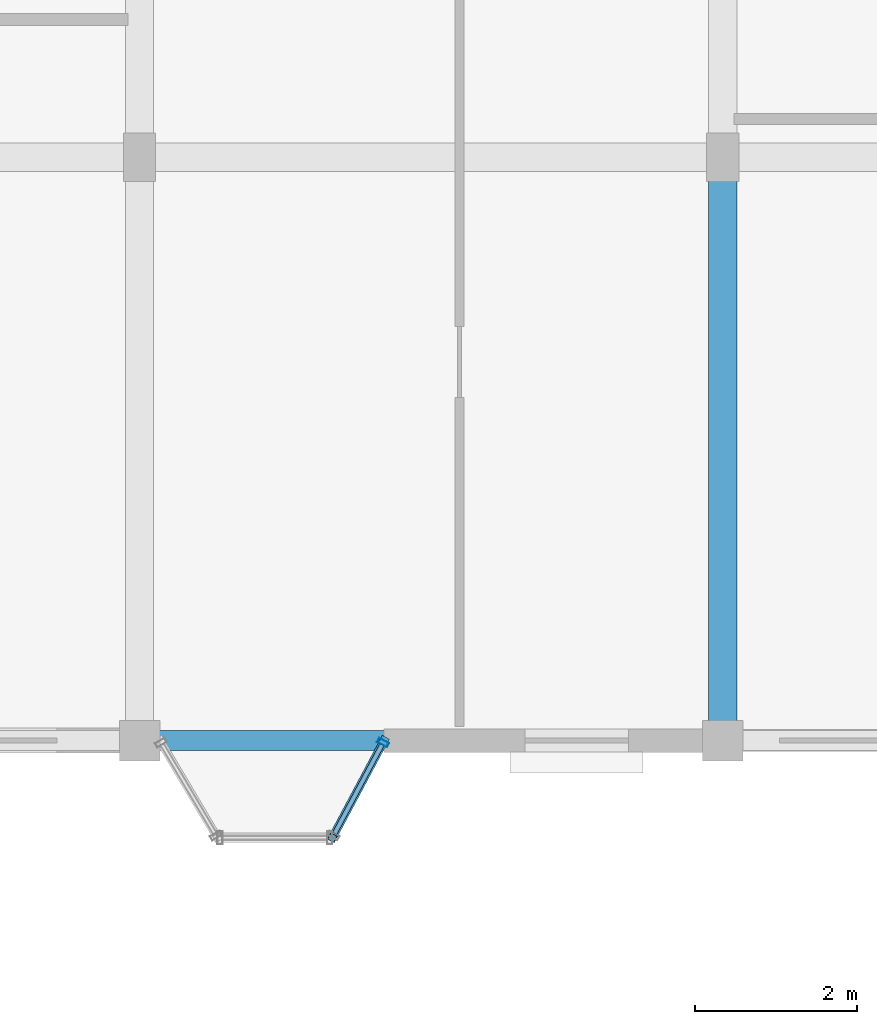
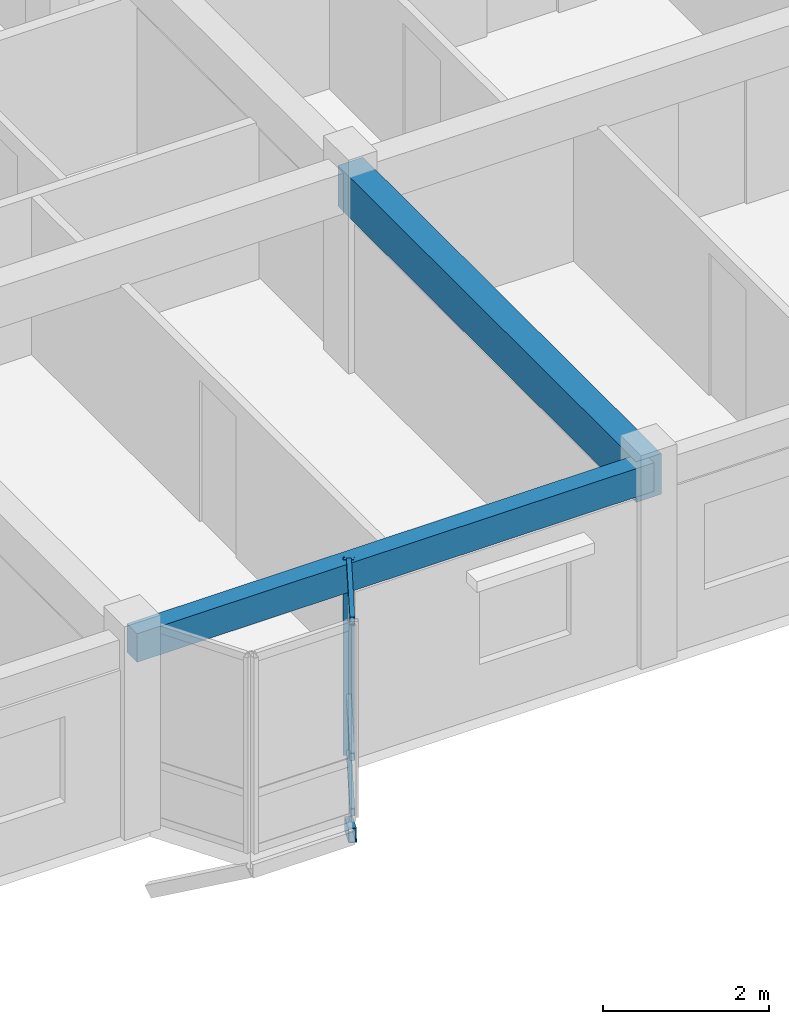
# One storey, part 35 of 70: 5 members, 2 beams, 1 element without a shape of its own.
"""IFC4 building model written with IfcOpenShell, lengths in metres."""

import ifcopenshell
import ifcopenshell.guid

model = None  # the IFC model being written
_history = None  # IfcOwnerHistory: only IFC2X3 demands one
_inside = {}  # id of a spatial element -> (the spatial element, [elements in it])
_under = {}  # id of a project, library or spatial element -> (it, [spatial elements below it])
_declared = {}  # id of a project -> (the project, [libraries it declares])
_typed = {}  # id of a type object -> (the type object, [elements of that type])
_made_of = {}  # id of a material, layer set ... -> (it, [elements and type objects made of it])


def new_model(schema):
    """Start an empty IFC model of exactly this schema.

    Asked for "IFC4X3", IfcOpenShell would pick the latest addendum, in which some entities
    have other attributes; the version numbers below select the first issue.
    IFC2X3 requires an IfcOwnerHistory on every rooted entity: one is made here for all.
    """
    global model, _history
    if schema == "IFC4X3":
        model = ifcopenshell.file(schema_version=(4, 3, 0, 0))
    else:
        model = ifcopenshell.file(schema=schema)
    _inside.clear()
    _under.clear()
    _declared.clear()
    _typed.clear()
    _made_of.clear()
    _history = None
    if model.schema == "IFC2X3":
        org = make("IfcOrganization", Name="unknown")
        user = make(
            "IfcPersonAndOrganization",
            ThePerson=make("IfcPerson", FamilyName="unknown"),
            TheOrganization=org,
        )
        app = make(
            "IfcApplication",
            ApplicationDeveloper=org,
            Version="unknown",
            ApplicationFullName="unknown",
            ApplicationIdentifier="unknown",
        )
        _history = make(
            "IfcOwnerHistory",
            OwningUser=user,
            OwningApplication=app,
            ChangeAction="ADDED",
            CreationDate=0,
        )
    return model


def make(cls, **values):
    """One entity of the class cls with the attributes given. An attribute that is None is left unset."""
    return model.create_entity(
        cls, **{name: value for name, value in values.items() if value is not None}
    )


def rooted(cls, **values):
    """An entity with a GlobalId (a new one), such as an element, a storey or a relation."""
    return make(cls, GlobalId=ifcopenshell.guid.new(), OwnerHistory=_history, **values)


def si_unit(unit_type, name, prefix=None):
    """IfcSIUnit, for example si_unit("LENGTHUNIT", "METRE", prefix="MILLI")."""
    return make("IfcSIUnit", UnitType=unit_type, Prefix=prefix, Name=name)


def assignment(units):
    """IfcUnitAssignment: the units of a project."""
    return None if units is None else make("IfcUnitAssignment", Units=units)


def point(xyz):
    """IfcCartesianPoint."""
    return None if xyz is None else make("IfcCartesianPoint", Coordinates=xyz)


def direction(xyz):
    """IfcDirection."""
    return None if xyz is None else make("IfcDirection", DirectionRatios=xyz)


def frame(location, z_axis=None, x_axis=None):
    """IfcAxis2Placement3D, a coordinate frame: its origin and axes. An axis left out is left unset."""
    return make(
        "IfcAxis2Placement3D",
        Location=point(location),
        Axis=direction(z_axis),
        RefDirection=direction(x_axis),
    )


def frame_2d(location, x_axis=None):
    """IfcAxis2Placement2D, a coordinate frame in the plane: its origin and x axis."""
    return make(
        "IfcAxis2Placement2D", Location=point(location), RefDirection=direction(x_axis)
    )


def origin():
    """The frame at (0, 0, 0) with its axes left unset."""
    return frame((0.0, 0.0, 0.0))


def origin_2d():
    """The frame at (0, 0) in the plane with its x axis left unset."""
    return frame_2d((0.0, 0.0))


def place(relative_to, where):
    """IfcLocalPlacement: puts the frame where relative to a parent placement (None: the world)."""
    return make(
        "IfcLocalPlacement", PlacementRelTo=relative_to, RelativePlacement=where
    )


def context(
    kind, dimensions, precision=None, world=None, true_north=None, identifier=None
):
    """IfcGeometricRepresentationContext, for example the 3D "Model" context."""
    return make(
        "IfcGeometricRepresentationContext",
        ContextIdentifier=identifier,
        ContextType=kind,
        CoordinateSpaceDimension=dimensions,
        Precision=precision,
        WorldCoordinateSystem=world,
        TrueNorth=true_north,
    )


def subcontext(parent, identifier, kind, view, scale=None):
    """IfcGeometricRepresentationSubContext, for example "Body" below "Model"."""
    return make(
        "IfcGeometricRepresentationSubContext",
        ContextIdentifier=identifier,
        ContextType=kind,
        ParentContext=parent,
        TargetScale=scale,
        TargetView=view,
    )


def project(units=None, contexts=None):
    """IfcProject with its units and contexts."""
    return rooted(
        "IfcProject",
        Name="project",
        RepresentationContexts=contexts,
        UnitsInContext=assignment(units),
    )


def spatial(cls, under=None, at=None, **own):
    """A site, building, storey or space (cls), placed at a placement, below another one or the project."""
    s = rooted(cls, ObjectPlacement=at, **own)
    if under is not None:
        _under.setdefault(under.id(), (under, []))[1].append(s)
    return s


def profile(cls, at=None, kind="AREA", **sizes):
    """A parametric profile (cls). Its sizes go by their IFC names, for example OverallWidth=200.0."""
    return make(cls, ProfileType=kind, Position=at, **sizes)


def rectangle(**sizes):
    """IfcRectangleProfileDef."""
    return profile("IfcRectangleProfileDef", **sizes)


def hollow_rectangle(**sizes):
    """IfcRectangleHollowProfileDef."""
    return profile("IfcRectangleHollowProfileDef", **sizes)


def extrude(swept, where, along, depth):
    """IfcExtrudedAreaSolid: the profile swept, set in the frame where, extruded along a direction by depth."""
    return make(
        "IfcExtrudedAreaSolid",
        SweptArea=swept,
        Position=where,
        ExtrudedDirection=direction(along),
        Depth=depth,
    )


def shape(context_of_items, identifier, shape_type, items):
    """IfcShapeRepresentation: the items that make up one representation, for example the "Body"."""
    return make(
        "IfcShapeRepresentation",
        ContextOfItems=context_of_items,
        RepresentationIdentifier=identifier,
        RepresentationType=shape_type,
        Items=items,
    )


def material(Name=None, Category=None):
    """IfcMaterial."""
    return make("IfcMaterial", Name=Name, Category=Category)


def layer(
    of_material, thickness, ventilated=None, Name=None, Category=None, Priority=None
):
    """IfcMaterialLayer: one layer of a wall or slab, of a material (None: an air gap)."""
    return make(
        "IfcMaterialLayer",
        Material=of_material,
        LayerThickness=thickness,
        IsVentilated=ventilated,
        Name=Name,
        Category=Category,
        Priority=Priority,
    )


def layer_set(layers, Name=None):
    """IfcMaterialLayerSet."""
    return make("IfcMaterialLayerSet", MaterialLayers=layers, LayerSetName=Name)


def material_profile(
    of_material, cross_section, Name=None, Category=None, Priority=None
):
    """IfcMaterialProfile: a cross section and its material."""
    return make(
        "IfcMaterialProfile",
        Name=Name,
        Material=of_material,
        Profile=cross_section,
        Priority=Priority,
        Category=Category,
    )


def profile_set(profiles, Name=None, composite=None):
    """IfcMaterialProfileSet."""
    return make(
        "IfcMaterialProfileSet",
        Name=Name,
        MaterialProfiles=profiles,
        CompositeProfile=composite,
    )


def made_of(thing, what):
    """Note that an element or type object is made of a material, layer set ...; save() writes the relation."""
    if what is not None:
        _made_of.setdefault(what.id(), (what, []))[1].append(thing)
    return thing


def type_object(cls, material=None, **own):
    """A type object (cls), such as IfcWallType, which elements share."""
    return made_of(rooted(cls, **own), material)


def element(
    cls,
    number,
    at=None,
    inside=None,
    cuts=None,
    type_object=None,
    material=None,
    context=None,
    identifier="Body",
    shape_type=None,
    held_by="IfcProductDefinitionShape",
    body=None,
    shapes=None,
    **own,
):
    """One element of the class cls, such as IfcWall. Its Tag is "e" and its number.

    at: its placement. inside: the storey or other place that contains it. cuts: it is an
    opening in that element (IfcRelVoidsElement). A single representation is given by context,
    identifier, shape_type and body (its items); several are given by shapes. held_by: the class
    of the entity that holds the representations. save() writes the other relations.
    """
    e = rooted(cls, Tag="e%d" % number, ObjectPlacement=at, **own)
    if body is not None:
        shapes = [shape(context, identifier, shape_type, body)]
    if shapes is not None:
        e.Representation = make(held_by, Representations=shapes)
    if inside is not None:
        _inside.setdefault(inside.id(), (inside, []))[1].append(e)
    if cuts is not None:
        rooted(
            "IfcRelVoidsElement", RelatingBuildingElement=cuts, RelatedOpeningElement=e
        )
    if type_object is not None:
        _typed.setdefault(type_object.id(), (type_object, []))[1].append(e)
    return made_of(e, material)


def aggregate(whole, parts):
    """IfcRelAggregates: a whole, such as a stair, and the parts it consists of."""
    return rooted("IfcRelAggregates", RelatingObject=whole, RelatedObjects=parts)


def save(model, path):
    """Write the relations noted so far, then the file.

    IfcRelAggregates (storeys below a building ...), IfcRelContainedInSpatialStructure (elements
    in a storey), IfcRelDefinesByType, IfcRelAssociatesMaterial and IfcRelDeclares: one each for
    every whole, place, type object, material and project.
    """
    for whole, parts in _under.values():
        aggregate(whole, parts)
    for where, things in _inside.values():
        rooted(
            "IfcRelContainedInSpatialStructure",
            RelatedElements=things,
            RelatingStructure=where,
        )
    for kind, things in _typed.values():
        rooted("IfcRelDefinesByType", RelatedObjects=things, RelatingType=kind)
    for what, things in _made_of.values():
        rooted("IfcRelAssociatesMaterial", RelatedObjects=things, RelatingMaterial=what)
    for by, libraries in _declared.values():
        rooted("IfcRelDeclares", RelatingContext=by, RelatedDefinitions=libraries)
    model.write(path)


model = new_model("IFC4")

# Units and contexts
model_context = context("Model", 3, precision=1e-05, world=origin(), true_north=direction((0.0, 1.0)))
body_context = subcontext(model_context, "Body", "Model", "MODEL_VIEW")
ifc_project = project(units=[si_unit("LENGTHUNIT", "METRE"), si_unit("AREAUNIT", "SQUARE_METRE"), si_unit("VOLUMEUNIT", "CUBIC_METRE"), si_unit("PLANEANGLEUNIT", "RADIAN"), si_unit("MASSUNIT", "GRAM", prefix="KILO"), si_unit("THERMODYNAMICTEMPERATUREUNIT", "KELVIN"), si_unit("POWERUNIT", "WATT")], contexts=[model_context])

# Site, building, storey
site_placement = place(None, origin())
site = spatial("IfcSite", under=ifc_project, at=site_placement, CompositionType="ELEMENT")
building_placement = place(site_placement, origin())
building = spatial("IfcBuilding", under=site, at=building_placement, Name="Tavuni Mirador Residences", CompositionType="ELEMENT")
storey_placement = place(building_placement, frame((0.0, 0.0, 23.39990234375)))
storey = spatial("IfcBuildingStorey", under=building, at=storey_placement, Name="L07", CompositionType="ELEMENT", Elevation=23.39990234375)

# Beams
ifc_material_1 = material(Name="Precast concrete C40/50", Category="concrete")
ifc_material_profile_1 = material_profile(ifc_material_1, rectangle(XDim=0.35009765625, YDim=0.60009765625, at=origin_2d()), Name="PC 350x600", Category="concrete")
ifc_profile_set_1 = profile_set([ifc_material_profile_1], Name="Precast concrete C40/50")
beam_type_1 = type_object("IfcBeamType", Name="BT-B600", PredefinedType="BEAM", material=ifc_profile_set_1)
beam_1_placement = place(storey_placement, frame((39.60009765625, 144.0, 2.585205078125), z_axis=(0.0, 1.0, 0.0), x_axis=(-1.0, 0.0, 0.0)))
element("IfcBeam", 1, at=beam_1_placement, inside=storey, type_object=beam_type_1, Name="BMY-BLK-C-L07-04-00", PredefinedType="BEAM", context=body_context, shape_type="SweptSolid", body=[
    extrude(rectangle(XDim=0.35009765625, YDim=0.60009765625, at=origin_2d()), origin(), (0.0, 0.0, 1.0), 7.199951171875),
])
ifc_material_profile_2 = material_profile(ifc_material_1, rectangle(XDim=0.25, YDim=0.419921875, at=origin_2d()), Name="PC 250x420", Category="concrete")
ifc_profile_set_2 = profile_set([ifc_material_profile_2], Name="Precast concrete C40/50")
beam_type_2 = type_object("IfcBeamType", Name="BT-SP420", PredefinedType="SPANDREL", material=ifc_profile_set_2)
beam_2_placement = place(storey_placement, frame((32.39990234375, 144.0, 2.675048828125), z_axis=(1.0, 0.0, 0.0), x_axis=(0.0, 1.0, 0.0)))
element("IfcBeam", 2, at=beam_2_placement, inside=storey, type_object=beam_type_2, Name="BMX-BLK-C-L07-03-00", PredefinedType="SPANDREL", context=body_context, shape_type="SweptSolid", body=[
    extrude(rectangle(XDim=0.25, YDim=0.419921875, at=origin_2d()), origin(), (0.0, 0.0, 1.0), 7.2001953125),
])

# Curtain wall, members
ifc_material_2 = material(Name="Anodised aluminium", Category="aluminium")
ifc_layer = layer(ifc_material_2, 0.1650390625, Name="Anodised aluminium", Category="aluminium")
ifc_layer_set = layer_set([ifc_layer], Name="Anodised aluminium")
curtain_wall_type = type_object("IfcCurtainWallType", Name="CWT-MIR-A", PredefinedType="NOTDEFINED", material=ifc_layer_set)
curtain_wall_placement = place(storey_placement, origin())
curtain_wall = element("IfcCurtainWall", 3, at=curtain_wall_placement, inside=storey, type_object=curtain_wall_type, Name="CW-MIR-C-S2-L07-M2", PredefinedType="NOTDEFINED")
ifc_material_profile_3 = material_profile(ifc_material_2, hollow_rectangle(XDim=0.06005859375, YDim=0.139892578125, WallThickness=0.00390625, at=origin_2d()), Name="ALU 60x140x4.0", Category="aluminium")
ifc_profile_set_3 = profile_set([ifc_material_profile_3], Name="Anodised aluminium")
member_type_1 = type_object("IfcMemberType", Name="CWM-140", PredefinedType="MULLION", material=ifc_profile_set_3)
member_1_placement = place(storey_placement, frame((35.40576171875, 143.9736328125, 0.0), z_axis=(0.0, 0.0, 1.0), x_axis=(0.470588235296, 0.882352941175, 0.0)))
member_1 = element("IfcMember", 4, at=member_1_placement, type_object=member_type_1, Name="CW-01 mullion 2", PredefinedType="MULLION", context=body_context, shape_type="SweptSolid", body=[
    extrude(hollow_rectangle(XDim=0.06005859375, YDim=0.139892578125, WallThickness=0.00390625, at=origin_2d()), origin(), (0.0, 0.0, 1.0), 2.885009765625),
])
ifc_material_profile_4 = material_profile(ifc_material_2, hollow_rectangle(XDim=0.06005859375, YDim=0.110107421875, WallThickness=0.00390625, at=origin_2d()), Name="ALU 60x110x4.0", Category="aluminium")
ifc_profile_set_4 = profile_set([ifc_material_profile_4], Name="Anodised aluminium")
member_type_2 = type_object("IfcMemberType", Name="CWT-110", PredefinedType="USERDEFINED", material=ifc_profile_set_4)
member_2_placement = place(storey_placement, frame((34.808349609375, 142.85302734375, 0.030029296875), z_axis=(0.470608675382, 0.882342039492, 0.0), x_axis=(-0.882342039492, 0.470608675382, 0.0)))
member_2 = element("IfcMember", 5, at=member_2_placement, type_object=member_type_2, Name="CW-01 transom 1.1", ObjectType="TRANSOM", PredefinedType="USERDEFINED", context=body_context, shape_type="SweptSolid", body=[
    extrude(hollow_rectangle(XDim=0.06005859375, YDim=0.110107421875, WallThickness=0.00390625, at=origin_2d()), origin(), (0.0, 0.0, 1.0), 1.239990234375),
])
member_3_placement = place(storey_placement, frame((34.808349609375, 142.85302734375, 0.85009765625), z_axis=(0.470608675382, 0.882342039492, 0.0), x_axis=(-0.882342039492, 0.470608675382, 0.0)))
member_3 = element("IfcMember", 6, at=member_3_placement, type_object=member_type_2, Name="CW-01 transom 1.2", ObjectType="TRANSOM", PredefinedType="USERDEFINED", context=body_context, shape_type="SweptSolid", body=[
    extrude(hollow_rectangle(XDim=0.06005859375, YDim=0.110107421875, WallThickness=0.00390625, at=origin_2d()), origin(), (0.0, 0.0, 1.0), 1.239990234375),
])
member_4_placement = place(storey_placement, frame((34.808349609375, 142.85302734375, 2.85498046875), z_axis=(0.470608675382, 0.882342039492, 0.0), x_axis=(-0.882342039492, 0.470608675382, 0.0)))
member_4 = element("IfcMember", 7, at=member_4_placement, type_object=member_type_2, Name="CW-01 transom 1.3", ObjectType="TRANSOM", PredefinedType="USERDEFINED", context=body_context, shape_type="SweptSolid", body=[
    extrude(hollow_rectangle(XDim=0.06005859375, YDim=0.110107421875, WallThickness=0.00390625, at=origin_2d()), origin(), (0.0, 0.0, 1.0), 1.239990234375),
])
aggregate(curtain_wall, [member_1, member_2, member_3, member_4])

# Member
ifc_material_3 = material(Name="Structural steel S355", Category="steel")
ifc_material_profile_5 = material_profile(ifc_material_3, hollow_rectangle(XDim=0.10009765625, YDim=0.179931640625, WallThickness=0.008056640625, at=origin_2d()), Name="RHS 180x100x8.0", Category="steel")
ifc_profile_set_5 = profile_set([ifc_material_profile_5], Name="Structural steel S355")
member_type_3 = type_object("IfcMemberType", Name="MT-BR-RHS180", PredefinedType="BRACE", material=ifc_profile_set_5)
member_5_placement = place(storey_placement, frame((35.419921875, 144.0, -1.0498046875), z_axis=(-0.407530885562, -0.764217589674, 0.499890040855), x_axis=(0.882377788047, -0.47054164445, 0.0)))
element("IfcMember", 8, at=member_5_placement, inside=storey, type_object=member_type_3, Name="MBRK-MIR-C-S2-L07-2", PredefinedType="BRACE", context=body_context, shape_type="SweptSolid", body=[
    extrude(hollow_rectangle(XDim=0.10009765625, YDim=0.179931640625, WallThickness=0.008056640625, at=origin_2d()), origin(), (0.0, 0.0, 1.0), 1.570068359375),
])

save(model, "model.ifc")
